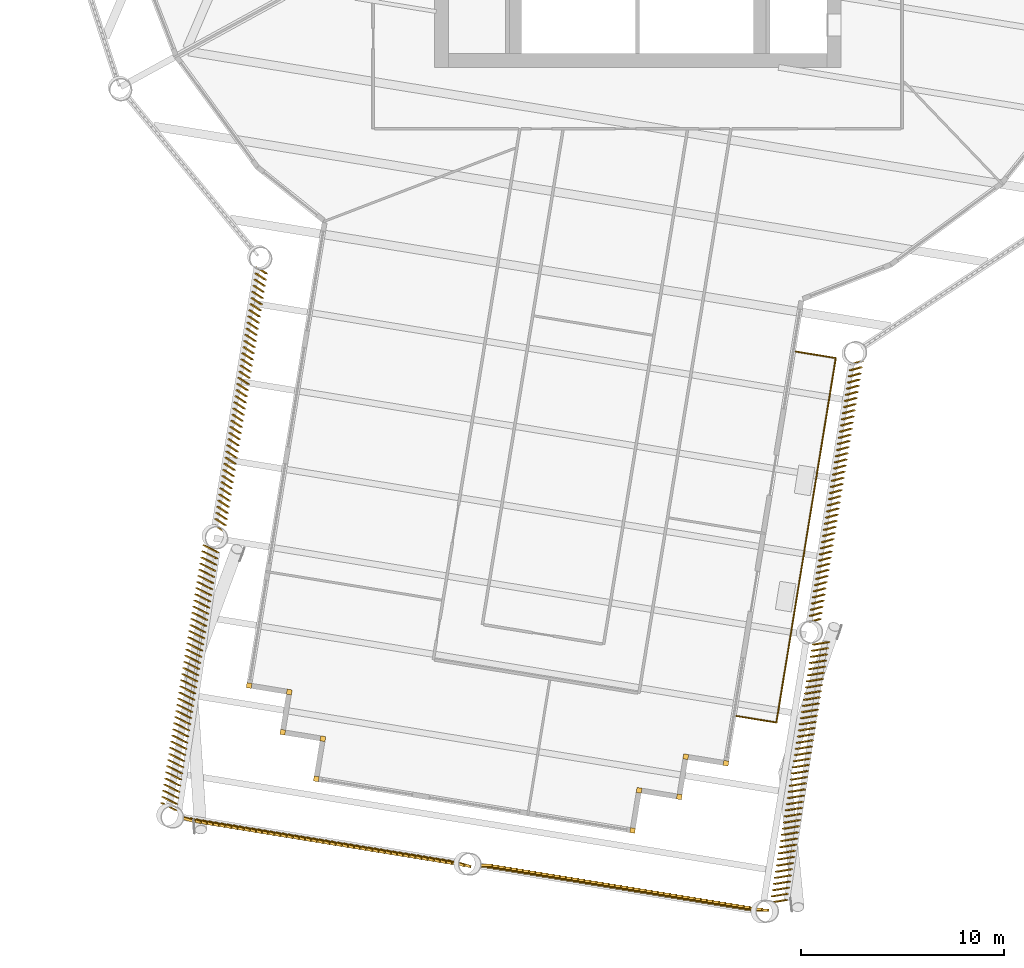
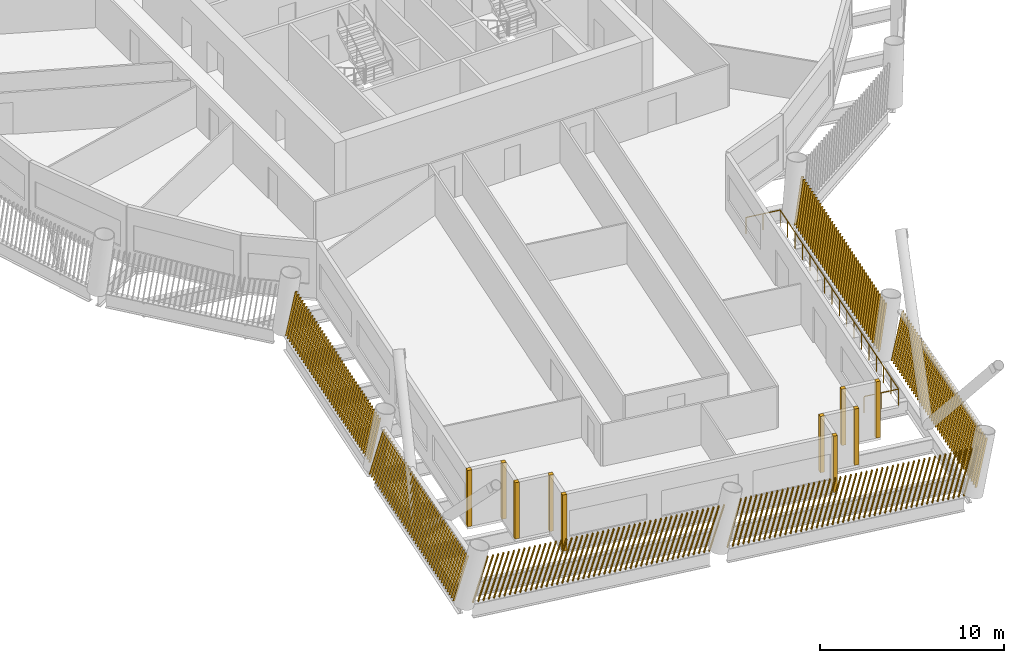
# One storey, part 18 of 22: 16 shading devices, 1 railing.
"""IFC4 building model written with IfcOpenShell, lengths in metres."""

import ifcopenshell
import ifcopenshell.guid

model = None  # the IFC model being written
_history = None  # IfcOwnerHistory: only IFC2X3 demands one
_inside = {}  # id of a spatial element -> (the spatial element, [elements in it])
_under = {}  # id of a project, library or spatial element -> (it, [spatial elements below it])
_declared = {}  # id of a project -> (the project, [libraries it declares])
_typed = {}  # id of a type object -> (the type object, [elements of that type])
_made_of = {}  # id of a material, layer set ... -> (it, [elements and type objects made of it])


def new_model(schema):
    """Start an empty IFC model of exactly this schema.

    Asked for "IFC4X3", IfcOpenShell would pick the latest addendum, in which some entities
    have other attributes; the version numbers below select the first issue.
    IFC2X3 requires an IfcOwnerHistory on every rooted entity: one is made here for all.
    """
    global model, _history
    if schema == "IFC4X3":
        model = ifcopenshell.file(schema_version=(4, 3, 0, 0))
    else:
        model = ifcopenshell.file(schema=schema)
    _inside.clear()
    _under.clear()
    _declared.clear()
    _typed.clear()
    _made_of.clear()
    _history = None
    if model.schema == "IFC2X3":
        org = make("IfcOrganization", Name="unknown")
        user = make(
            "IfcPersonAndOrganization",
            ThePerson=make("IfcPerson", FamilyName="unknown"),
            TheOrganization=org,
        )
        app = make(
            "IfcApplication",
            ApplicationDeveloper=org,
            Version="unknown",
            ApplicationFullName="unknown",
            ApplicationIdentifier="unknown",
        )
        _history = make(
            "IfcOwnerHistory",
            OwningUser=user,
            OwningApplication=app,
            ChangeAction="ADDED",
            CreationDate=0,
        )
    return model


def make(cls, **values):
    """One entity of the class cls with the attributes given. An attribute that is None is left unset."""
    return model.create_entity(
        cls, **{name: value for name, value in values.items() if value is not None}
    )


def rooted(cls, **values):
    """An entity with a GlobalId (a new one), such as an element, a storey or a relation."""
    return make(cls, GlobalId=ifcopenshell.guid.new(), OwnerHistory=_history, **values)


def si_unit(unit_type, name, prefix=None):
    """IfcSIUnit, for example si_unit("LENGTHUNIT", "METRE", prefix="MILLI")."""
    return make("IfcSIUnit", UnitType=unit_type, Prefix=prefix, Name=name)


def assignment(units):
    """IfcUnitAssignment: the units of a project."""
    return None if units is None else make("IfcUnitAssignment", Units=units)


def point(xyz):
    """IfcCartesianPoint."""
    return None if xyz is None else make("IfcCartesianPoint", Coordinates=xyz)


def direction(xyz):
    """IfcDirection."""
    return None if xyz is None else make("IfcDirection", DirectionRatios=xyz)


def frame(location, z_axis=None, x_axis=None):
    """IfcAxis2Placement3D, a coordinate frame: its origin and axes. An axis left out is left unset."""
    return make(
        "IfcAxis2Placement3D",
        Location=point(location),
        Axis=direction(z_axis),
        RefDirection=direction(x_axis),
    )


def frame_2d(location, x_axis=None):
    """IfcAxis2Placement2D, a coordinate frame in the plane: its origin and x axis."""
    return make(
        "IfcAxis2Placement2D", Location=point(location), RefDirection=direction(x_axis)
    )


def origin():
    """The frame at (0, 0, 0) with its axes left unset."""
    return frame((0.0, 0.0, 0.0))


def origin_2d():
    """The frame at (0, 0) in the plane with its x axis left unset."""
    return frame_2d((0.0, 0.0))


def place(relative_to, where):
    """IfcLocalPlacement: puts the frame where relative to a parent placement (None: the world)."""
    return make(
        "IfcLocalPlacement", PlacementRelTo=relative_to, RelativePlacement=where
    )


def context(
    kind, dimensions, precision=None, world=None, true_north=None, identifier=None
):
    """IfcGeometricRepresentationContext, for example the 3D "Model" context."""
    return make(
        "IfcGeometricRepresentationContext",
        ContextIdentifier=identifier,
        ContextType=kind,
        CoordinateSpaceDimension=dimensions,
        Precision=precision,
        WorldCoordinateSystem=world,
        TrueNorth=true_north,
    )


def subcontext(parent, identifier, kind, view, scale=None):
    """IfcGeometricRepresentationSubContext, for example "Body" below "Model"."""
    return make(
        "IfcGeometricRepresentationSubContext",
        ContextIdentifier=identifier,
        ContextType=kind,
        ParentContext=parent,
        TargetScale=scale,
        TargetView=view,
    )


def project(units=None, contexts=None):
    """IfcProject with its units and contexts."""
    return rooted(
        "IfcProject",
        Name="project",
        RepresentationContexts=contexts,
        UnitsInContext=assignment(units),
    )


def spatial(cls, under=None, at=None, **own):
    """A site, building, storey or space (cls), placed at a placement, below another one or the project."""
    s = rooted(cls, ObjectPlacement=at, **own)
    if under is not None:
        _under.setdefault(under.id(), (under, []))[1].append(s)
    return s


def profile(cls, at=None, kind="AREA", **sizes):
    """A parametric profile (cls). Its sizes go by their IFC names, for example OverallWidth=200.0."""
    return make(cls, ProfileType=kind, Position=at, **sizes)


def rectangle(**sizes):
    """IfcRectangleProfileDef."""
    return profile("IfcRectangleProfileDef", **sizes)


def circle(**sizes):
    """IfcCircleProfileDef."""
    return profile("IfcCircleProfileDef", **sizes)


def composite_profile(profiles, kind="AREA"):
    """IfcCompositeProfileDef: several profiles as one."""
    return make("IfcCompositeProfileDef", ProfileType=kind, Profiles=profiles)


def extrude(swept, where, along, depth):
    """IfcExtrudedAreaSolid: the profile swept, set in the frame where, extruded along a direction by depth."""
    return make(
        "IfcExtrudedAreaSolid",
        SweptArea=swept,
        Position=where,
        ExtrudedDirection=direction(along),
        Depth=depth,
    )


def shape(context_of_items, identifier, shape_type, items):
    """IfcShapeRepresentation: the items that make up one representation, for example the "Body"."""
    return make(
        "IfcShapeRepresentation",
        ContextOfItems=context_of_items,
        RepresentationIdentifier=identifier,
        RepresentationType=shape_type,
        Items=items,
    )


def material(Name=None, Category=None):
    """IfcMaterial."""
    return make("IfcMaterial", Name=Name, Category=Category)


def made_of(thing, what):
    """Note that an element or type object is made of a material, layer set ...; save() writes the relation."""
    if what is not None:
        _made_of.setdefault(what.id(), (what, []))[1].append(thing)
    return thing


def type_object(cls, material=None, **own):
    """A type object (cls), such as IfcWallType, which elements share."""
    return made_of(rooted(cls, **own), material)


def element(
    cls,
    number,
    at=None,
    inside=None,
    cuts=None,
    type_object=None,
    material=None,
    context=None,
    identifier="Body",
    shape_type=None,
    held_by="IfcProductDefinitionShape",
    body=None,
    shapes=None,
    **own,
):
    """One element of the class cls, such as IfcWall. Its Tag is "e" and its number.

    at: its placement. inside: the storey or other place that contains it. cuts: it is an
    opening in that element (IfcRelVoidsElement). A single representation is given by context,
    identifier, shape_type and body (its items); several are given by shapes. held_by: the class
    of the entity that holds the representations. save() writes the other relations.
    """
    e = rooted(cls, Tag="e%d" % number, ObjectPlacement=at, **own)
    if body is not None:
        shapes = [shape(context, identifier, shape_type, body)]
    if shapes is not None:
        e.Representation = make(held_by, Representations=shapes)
    if inside is not None:
        _inside.setdefault(inside.id(), (inside, []))[1].append(e)
    if cuts is not None:
        rooted(
            "IfcRelVoidsElement", RelatingBuildingElement=cuts, RelatedOpeningElement=e
        )
    if type_object is not None:
        _typed.setdefault(type_object.id(), (type_object, []))[1].append(e)
    return made_of(e, material)


def aggregate(whole, parts):
    """IfcRelAggregates: a whole, such as a stair, and the parts it consists of."""
    return rooted("IfcRelAggregates", RelatingObject=whole, RelatedObjects=parts)


def save(model, path):
    """Write the relations noted so far, then the file.

    IfcRelAggregates (storeys below a building ...), IfcRelContainedInSpatialStructure (elements
    in a storey), IfcRelDefinesByType, IfcRelAssociatesMaterial and IfcRelDeclares: one each for
    every whole, place, type object, material and project.
    """
    for whole, parts in _under.values():
        aggregate(whole, parts)
    for where, things in _inside.values():
        rooted(
            "IfcRelContainedInSpatialStructure",
            RelatedElements=things,
            RelatingStructure=where,
        )
    for kind, things in _typed.values():
        rooted("IfcRelDefinesByType", RelatedObjects=things, RelatingType=kind)
    for what, things in _made_of.values():
        rooted("IfcRelAssociatesMaterial", RelatedObjects=things, RelatingMaterial=what)
    for by, libraries in _declared.values():
        rooted("IfcRelDeclares", RelatingContext=by, RelatedDefinitions=libraries)
    model.write(path)


model = new_model("IFC4")

# Units and contexts
model_context = context("Model", 3, precision=1e-05, world=origin(), true_north=direction((0.0, 1.0)))
body_context = subcontext(model_context, "Body", "Model", "MODEL_VIEW")
ifc_project = project(units=[si_unit("LENGTHUNIT", "METRE"), si_unit("AREAUNIT", "SQUARE_METRE"), si_unit("VOLUMEUNIT", "CUBIC_METRE"), si_unit("PLANEANGLEUNIT", "RADIAN"), si_unit("MASSUNIT", "GRAM", prefix="KILO")], contexts=[model_context])

# Site, building, storey
site_placement = place(None, origin())
site = spatial("IfcSite", under=ifc_project, at=site_placement, CompositionType="ELEMENT")
building_placement = place(site_placement, origin())
building = spatial("IfcBuilding", under=site, at=building_placement, Name="Tarsis Ring Headquarters", CompositionType="ELEMENT")
storey_placement = place(building_placement, frame((0.0, 0.0, 186.60009765625)))
storey = spatial("IfcBuildingStorey", under=building, at=storey_placement, Name="L43", CompositionType="ELEMENT", Elevation=186.60009765625)

# Railing
ifc_material_1 = material(Name="Stainless steel guard", Category="steel")
railing_type = type_object("IfcRailingType", Name="Balcony balustrade with mesh infill 1100", PredefinedType="BALUSTRADE", material=ifc_material_1)
railing_placement = place(storey_placement, frame((4.84375, -44.864013671875, 0.0)))
element("IfcRailing", 1, at=railing_placement, inside=storey, type_object=railing_type, Name="Balcony balustrade L43-16", PredefinedType="BALUSTRADE", context=body_context, shape_type="SweptSolid", body=[
    extrude(circle(Radius=0.030029296875, at=origin_2d()), frame((0.0, 0.0, 1.070068359375), z_axis=(0.986955450451, -0.160993598707, 0.0), x_axis=(0.160993598707, 0.986955450451, 0.0)), (0.0, 0.0, 1.0), 2.000244140625),
    extrude(circle(Radius=0.030029296875, at=origin_2d()), frame((1.97412109375, -0.322021484375, 1.070068359375), z_axis=(0.160905967795, 0.986969740938, 0.0), x_axis=(-0.986969740938, 0.160905967795, 0.0)), (0.0, 0.0, 1.0), 18.1513671875),
    extrude(circle(Radius=0.030029296875, at=origin_2d()), frame((4.894775390625, 17.5927734375, 1.070068359375), z_axis=(-0.986971678228, 0.160894084342, 0.0), x_axis=(-0.160894084342, -0.986971678228, 0.0)), (0.0, 0.0, 1.0), 2.0),
    extrude(circle(Radius=0.02490234375, at=origin_2d()), origin(), (0.0, 0.0, 1.0), 1.0400390625),
    extrude(circle(Radius=0.02490234375, at=origin_2d()), frame((0.987060546875, -0.1611328125, 0.0)), (0.0, 0.0, 1.0), 1.0400390625),
    extrude(circle(Radius=0.02490234375, at=origin_2d()), frame((1.97412109375, -0.322021484375, 0.0)), (0.0, 0.0, 1.0), 1.0400390625),
    extrude(circle(Radius=0.02490234375, at=origin_2d()), frame((2.15673828125, 0.797607421875, 0.0)), (0.0, 0.0, 1.0), 1.0400390625),
    extrude(circle(Radius=0.02490234375, at=origin_2d()), frame((2.339111328125, 1.917236328125, 0.0)), (0.0, 0.0, 1.0), 1.0400390625),
    extrude(circle(Radius=0.02490234375, at=origin_2d()), frame((2.521728515625, 3.037109375, 0.0)), (0.0, 0.0, 1.0), 1.0400390625),
    extrude(circle(Radius=0.02490234375, at=origin_2d()), frame((2.704345703125, 4.15673828125, 0.0)), (0.0, 0.0, 1.0), 1.0400390625),
    extrude(circle(Radius=0.02490234375, at=origin_2d()), frame((2.88671875, 5.2763671875, 0.0)), (0.0, 0.0, 1.0), 1.0400390625),
    extrude(circle(Radius=0.02490234375, at=origin_2d()), frame((3.0693359375, 6.39599609375, 0.0)), (0.0, 0.0, 1.0), 1.0400390625),
    extrude(circle(Radius=0.02490234375, at=origin_2d()), frame((3.251953125, 7.515625, 0.0)), (0.0, 0.0, 1.0), 1.0400390625),
    extrude(circle(Radius=0.02490234375, at=origin_2d()), frame((3.4345703125, 8.63525390625, 0.0)), (0.0, 0.0, 1.0), 1.0400390625),
    extrude(circle(Radius=0.02490234375, at=origin_2d()), frame((3.616943359375, 9.755126953125, 0.0)), (0.0, 0.0, 1.0), 1.0400390625),
    extrude(circle(Radius=0.02490234375, at=origin_2d()), frame((3.799560546875, 10.874755859375, 0.0)), (0.0, 0.0, 1.0), 1.0400390625),
    extrude(circle(Radius=0.02490234375, at=origin_2d()), frame((3.982177734375, 11.994384765625, 0.0)), (0.0, 0.0, 1.0), 1.0400390625),
    extrude(circle(Radius=0.02490234375, at=origin_2d()), frame((4.16455078125, 13.114013671875, 0.0)), (0.0, 0.0, 1.0), 1.0400390625),
    extrude(circle(Radius=0.02490234375, at=origin_2d()), frame((4.34716796875, 14.233642578125, 0.0)), (0.0, 0.0, 1.0), 1.0400390625),
    extrude(circle(Radius=0.02490234375, at=origin_2d()), frame((4.52978515625, 15.353515625, 0.0)), (0.0, 0.0, 1.0), 1.0400390625),
    extrude(circle(Radius=0.02490234375, at=origin_2d()), frame((4.712158203125, 16.47314453125, 0.0)), (0.0, 0.0, 1.0), 1.0400390625),
    extrude(circle(Radius=0.02490234375, at=origin_2d()), frame((4.894775390625, 17.5927734375, 0.0)), (0.0, 0.0, 1.0), 1.0400390625),
    extrude(circle(Radius=0.02490234375, at=origin_2d()), frame((3.90771484375, 17.753662109375, 0.0)), (0.0, 0.0, 1.0), 1.0400390625),
    extrude(circle(Radius=0.02490234375, at=origin_2d()), frame((2.9208984375, 17.91455078125, 0.0)), (0.0, 0.0, 1.0), 1.0400390625),
])

# Shading devices
ifc_material_2 = material(Name="Terracotta baguette", Category="masonry")
shading_device_type_1 = type_object("IfcShadingDeviceType", Name="Terracotta baguette screen", PredefinedType="USERDEFINED", material=ifc_material_2)
shading_device_1_placement = place(storey_placement, frame((-18.709716796875, -22.78173828125, 0.0), z_axis=(0.0, 0.0, 1.0), x_axis=(-0.160914320315, -0.986962609749, 0.0)))
element("IfcShadingDevice", 2, at=shading_device_1_placement, inside=storey, type_object=shading_device_type_1, Name="Baguette screen L43-01", ObjectType="Terracotta baguette screen", PredefinedType="USERDEFINED", context=body_context, shape_type="SweptSolid", body=[
    extrude(composite_profile([rectangle(XDim=0.06005859375, YDim=0.1201171875, at=frame_2d((0.030029296875, 0.0))), rectangle(XDim=0.06005859375, YDim=0.1201171875, at=frame_2d((0.335693359375, 0.0))), rectangle(XDim=0.06005859375, YDim=0.1201171875, at=frame_2d((0.6416015625, 0.0))), rectangle(XDim=0.06005859375, YDim=0.1201171875, at=frame_2d((0.947265625, 0.0))), rectangle(XDim=0.06005859375, YDim=0.1201171875, at=frame_2d((1.253173828125, 0.0))), rectangle(XDim=0.06005859375, YDim=0.1201171875, at=frame_2d((1.558837890625, 0.0))), rectangle(XDim=0.06005859375, YDim=0.1201171875, at=frame_2d((1.864501953125, 0.0))), rectangle(XDim=0.06005859375, YDim=0.1201171875, at=frame_2d((2.17041015625, 0.0))), rectangle(XDim=0.06005859375, YDim=0.1201171875, at=frame_2d((2.47607421875, 0.0))), rectangle(XDim=0.06005859375, YDim=0.1201171875, at=frame_2d((2.781982421875, 0.0))), rectangle(XDim=0.06005859375, YDim=0.1201171875, at=frame_2d((3.087646484375, 0.0))), rectangle(XDim=0.06005859375, YDim=0.1201171875, at=frame_2d((3.393310546875, 0.0))), rectangle(XDim=0.06005859375, YDim=0.1201171875, at=frame_2d((3.69921875, 0.0))), rectangle(XDim=0.06005859375, YDim=0.1201171875, at=frame_2d((4.0048828125, 0.0))), rectangle(XDim=0.06005859375, YDim=0.1201171875, at=frame_2d((4.310791015625, 0.0))), rectangle(XDim=0.06005859375, YDim=0.1201171875, at=frame_2d((4.616455078125, 0.0))), rectangle(XDim=0.06005859375, YDim=0.1201171875, at=frame_2d((4.922119140625, 0.0))), rectangle(XDim=0.06005859375, YDim=0.1201171875, at=frame_2d((5.22802734375, 0.0))), rectangle(XDim=0.06005859375, YDim=0.1201171875, at=frame_2d((5.53369140625, 0.0))), rectangle(XDim=0.06005859375, YDim=0.1201171875, at=frame_2d((5.839599609375, 0.0))), rectangle(XDim=0.06005859375, YDim=0.1201171875, at=frame_2d((6.145263671875, 0.0))), rectangle(XDim=0.06005859375, YDim=0.1201171875, at=frame_2d((6.451171875, 0.0))), rectangle(XDim=0.06005859375, YDim=0.1201171875, at=frame_2d((6.7568359375, 0.0))), rectangle(XDim=0.06005859375, YDim=0.1201171875, at=frame_2d((7.0625, 0.0))), rectangle(XDim=0.06005859375, YDim=0.1201171875, at=frame_2d((7.368408203125, 0.0))), rectangle(XDim=0.06005859375, YDim=0.1201171875, at=frame_2d((7.674072265625, 0.0))), rectangle(XDim=0.06005859375, YDim=0.1201171875, at=frame_2d((7.97998046875, 0.0))), rectangle(XDim=0.06005859375, YDim=0.1201171875, at=frame_2d((8.28564453125, 0.0))), rectangle(XDim=0.06005859375, YDim=0.1201171875, at=frame_2d((8.59130859375, 0.0))), rectangle(XDim=0.06005859375, YDim=0.1201171875, at=frame_2d((8.897216796875, 0.0))), rectangle(XDim=0.06005859375, YDim=0.1201171875, at=frame_2d((9.202880859375, 0.0))), rectangle(XDim=0.06005859375, YDim=0.1201171875, at=frame_2d((9.5087890625, 0.0))), rectangle(XDim=0.06005859375, YDim=0.1201171875, at=frame_2d((9.814453125, 0.0))), rectangle(XDim=0.06005859375, YDim=0.1201171875, at=frame_2d((10.1201171875, 0.0))), rectangle(XDim=0.06005859375, YDim=0.1201171875, at=frame_2d((10.426025390625, 0.0))), rectangle(XDim=0.06005859375, YDim=0.1201171875, at=frame_2d((10.731689453125, 0.0))), rectangle(XDim=0.06005859375, YDim=0.1201171875, at=frame_2d((11.03759765625, 0.0))), rectangle(XDim=0.06005859375, YDim=0.1201171875, at=frame_2d((11.34326171875, 0.0))), rectangle(XDim=0.06005859375, YDim=0.1201171875, at=frame_2d((11.64892578125, 0.0))), rectangle(XDim=0.06005859375, YDim=0.1201171875, at=frame_2d((11.954833984375, 0.0))), rectangle(XDim=0.06005859375, YDim=0.1201171875, at=frame_2d((12.260498046875, 0.0))), rectangle(XDim=0.06005859375, YDim=0.1201171875, at=frame_2d((12.56640625, 0.0))), rectangle(XDim=0.06005859375, YDim=0.1201171875, at=frame_2d((12.8720703125, 0.0)))]), origin(), (0.076140967909, 0.167798012639, 0.982876584298), 3.00146484375),
])
shading_device_2_placement = place(storey_placement, frame((-21.31689453125, -36.4423828125, 0.0), z_axis=(0.0, 0.0, 1.0), x_axis=(-0.160914320315, -0.986962609749, 0.0)))
element("IfcShadingDevice", 3, at=shading_device_2_placement, inside=storey, type_object=shading_device_type_1, Name="Baguette screen L43-02", ObjectType="Terracotta baguette screen", PredefinedType="USERDEFINED", context=body_context, shape_type="SweptSolid", body=[
    extrude(composite_profile([rectangle(XDim=0.06005859375, YDim=0.1201171875, at=frame_2d((0.030029296875, 0.0))), rectangle(XDim=0.06005859375, YDim=0.1201171875, at=frame_2d((0.335693359375, 0.0))), rectangle(XDim=0.06005859375, YDim=0.1201171875, at=frame_2d((0.6416015625, 0.0))), rectangle(XDim=0.06005859375, YDim=0.1201171875, at=frame_2d((0.947265625, 0.0))), rectangle(XDim=0.06005859375, YDim=0.1201171875, at=frame_2d((1.253173828125, 0.0))), rectangle(XDim=0.06005859375, YDim=0.1201171875, at=frame_2d((1.558837890625, 0.0))), rectangle(XDim=0.06005859375, YDim=0.1201171875, at=frame_2d((1.864501953125, 0.0))), rectangle(XDim=0.06005859375, YDim=0.1201171875, at=frame_2d((2.17041015625, 0.0))), rectangle(XDim=0.06005859375, YDim=0.1201171875, at=frame_2d((2.47607421875, 0.0))), rectangle(XDim=0.06005859375, YDim=0.1201171875, at=frame_2d((2.781982421875, 0.0))), rectangle(XDim=0.06005859375, YDim=0.1201171875, at=frame_2d((3.087646484375, 0.0))), rectangle(XDim=0.06005859375, YDim=0.1201171875, at=frame_2d((3.393310546875, 0.0))), rectangle(XDim=0.06005859375, YDim=0.1201171875, at=frame_2d((3.69921875, 0.0))), rectangle(XDim=0.06005859375, YDim=0.1201171875, at=frame_2d((4.0048828125, 0.0))), rectangle(XDim=0.06005859375, YDim=0.1201171875, at=frame_2d((4.310791015625, 0.0))), rectangle(XDim=0.06005859375, YDim=0.1201171875, at=frame_2d((4.616455078125, 0.0))), rectangle(XDim=0.06005859375, YDim=0.1201171875, at=frame_2d((4.922119140625, 0.0))), rectangle(XDim=0.06005859375, YDim=0.1201171875, at=frame_2d((5.22802734375, 0.0))), rectangle(XDim=0.06005859375, YDim=0.1201171875, at=frame_2d((5.53369140625, 0.0))), rectangle(XDim=0.06005859375, YDim=0.1201171875, at=frame_2d((5.839599609375, 0.0))), rectangle(XDim=0.06005859375, YDim=0.1201171875, at=frame_2d((6.145263671875, 0.0))), rectangle(XDim=0.06005859375, YDim=0.1201171875, at=frame_2d((6.451171875, 0.0))), rectangle(XDim=0.06005859375, YDim=0.1201171875, at=frame_2d((6.7568359375, 0.0))), rectangle(XDim=0.06005859375, YDim=0.1201171875, at=frame_2d((7.0625, 0.0))), rectangle(XDim=0.06005859375, YDim=0.1201171875, at=frame_2d((7.368408203125, 0.0))), rectangle(XDim=0.06005859375, YDim=0.1201171875, at=frame_2d((7.674072265625, 0.0))), rectangle(XDim=0.06005859375, YDim=0.1201171875, at=frame_2d((7.97998046875, 0.0))), rectangle(XDim=0.06005859375, YDim=0.1201171875, at=frame_2d((8.28564453125, 0.0))), rectangle(XDim=0.06005859375, YDim=0.1201171875, at=frame_2d((8.59130859375, 0.0))), rectangle(XDim=0.06005859375, YDim=0.1201171875, at=frame_2d((8.897216796875, 0.0))), rectangle(XDim=0.06005859375, YDim=0.1201171875, at=frame_2d((9.202880859375, 0.0))), rectangle(XDim=0.06005859375, YDim=0.1201171875, at=frame_2d((9.5087890625, 0.0))), rectangle(XDim=0.06005859375, YDim=0.1201171875, at=frame_2d((9.814453125, 0.0))), rectangle(XDim=0.06005859375, YDim=0.1201171875, at=frame_2d((10.1201171875, 0.0))), rectangle(XDim=0.06005859375, YDim=0.1201171875, at=frame_2d((10.426025390625, 0.0))), rectangle(XDim=0.06005859375, YDim=0.1201171875, at=frame_2d((10.731689453125, 0.0))), rectangle(XDim=0.06005859375, YDim=0.1201171875, at=frame_2d((11.03759765625, 0.0))), rectangle(XDim=0.06005859375, YDim=0.1201171875, at=frame_2d((11.34326171875, 0.0))), rectangle(XDim=0.06005859375, YDim=0.1201171875, at=frame_2d((11.64892578125, 0.0))), rectangle(XDim=0.06005859375, YDim=0.1201171875, at=frame_2d((11.954833984375, 0.0))), rectangle(XDim=0.06005859375, YDim=0.1201171875, at=frame_2d((12.260498046875, 0.0))), rectangle(XDim=0.06005859375, YDim=0.1201171875, at=frame_2d((12.56640625, 0.0))), rectangle(XDim=0.06005859375, YDim=0.1201171875, at=frame_2d((12.8720703125, 0.0)))]), origin(), (0.076396913549, 0.237047926428, 0.96848943834), 3.0458984375),
])
shading_device_3_placement = place(storey_placement, frame((-22.60986328125, -49.810791015625, 0.0), z_axis=(0.0, 0.0, 1.0), x_axis=(0.986961521451, -0.160919946926, 0.0)))
element("IfcShadingDevice", 4, at=shading_device_3_placement, inside=storey, type_object=shading_device_type_1, Name="Baguette screen L43-03", ObjectType="Terracotta baguette screen", PredefinedType="USERDEFINED", context=body_context, shape_type="SweptSolid", body=[
    extrude(composite_profile([rectangle(XDim=0.06005859375, YDim=0.1201171875, at=frame_2d((0.030029296875, 0.0))), rectangle(XDim=0.06005859375, YDim=0.1201171875, at=frame_2d((0.33544921875, 0.0))), rectangle(XDim=0.06005859375, YDim=0.1201171875, at=frame_2d((0.640625, 0.0))), rectangle(XDim=0.06005859375, YDim=0.1201171875, at=frame_2d((0.946044921875, 0.0))), rectangle(XDim=0.06005859375, YDim=0.1201171875, at=frame_2d((1.25146484375, 0.0))), rectangle(XDim=0.06005859375, YDim=0.1201171875, at=frame_2d((1.556640625, 0.0))), rectangle(XDim=0.06005859375, YDim=0.1201171875, at=frame_2d((1.862060546875, 0.0))), rectangle(XDim=0.06005859375, YDim=0.1201171875, at=frame_2d((2.16748046875, 0.0))), rectangle(XDim=0.06005859375, YDim=0.1201171875, at=frame_2d((2.47265625, 0.0))), rectangle(XDim=0.06005859375, YDim=0.1201171875, at=frame_2d((2.778076171875, 0.0))), rectangle(XDim=0.06005859375, YDim=0.1201171875, at=frame_2d((3.08349609375, 0.0))), rectangle(XDim=0.06005859375, YDim=0.1201171875, at=frame_2d((3.388671875, 0.0))), rectangle(XDim=0.06005859375, YDim=0.1201171875, at=frame_2d((3.694091796875, 0.0))), rectangle(XDim=0.06005859375, YDim=0.1201171875, at=frame_2d((3.99951171875, 0.0))), rectangle(XDim=0.06005859375, YDim=0.1201171875, at=frame_2d((4.3046875, 0.0))), rectangle(XDim=0.06005859375, YDim=0.1201171875, at=frame_2d((4.610107421875, 0.0))), rectangle(XDim=0.06005859375, YDim=0.1201171875, at=frame_2d((4.91552734375, 0.0))), rectangle(XDim=0.06005859375, YDim=0.1201171875, at=frame_2d((5.220703125, 0.0))), rectangle(XDim=0.06005859375, YDim=0.1201171875, at=frame_2d((5.526123046875, 0.0))), rectangle(XDim=0.06005859375, YDim=0.1201171875, at=frame_2d((5.83154296875, 0.0))), rectangle(XDim=0.06005859375, YDim=0.1201171875, at=frame_2d((6.13671875, 0.0))), rectangle(XDim=0.06005859375, YDim=0.1201171875, at=frame_2d((6.442138671875, 0.0))), rectangle(XDim=0.06005859375, YDim=0.1201171875, at=frame_2d((6.74755859375, 0.0))), rectangle(XDim=0.06005859375, YDim=0.1201171875, at=frame_2d((7.052734375, 0.0))), rectangle(XDim=0.06005859375, YDim=0.1201171875, at=frame_2d((7.358154296875, 0.0))), rectangle(XDim=0.06005859375, YDim=0.1201171875, at=frame_2d((7.66357421875, 0.0))), rectangle(XDim=0.06005859375, YDim=0.1201171875, at=frame_2d((7.96875, 0.0))), rectangle(XDim=0.06005859375, YDim=0.1201171875, at=frame_2d((8.274169921875, 0.0))), rectangle(XDim=0.06005859375, YDim=0.1201171875, at=frame_2d((8.57958984375, 0.0))), rectangle(XDim=0.06005859375, YDim=0.1201171875, at=frame_2d((8.884765625, 0.0))), rectangle(XDim=0.06005859375, YDim=0.1201171875, at=frame_2d((9.190185546875, 0.0))), rectangle(XDim=0.06005859375, YDim=0.1201171875, at=frame_2d((9.49560546875, 0.0))), rectangle(XDim=0.06005859375, YDim=0.1201171875, at=frame_2d((9.80078125, 0.0))), rectangle(XDim=0.06005859375, YDim=0.1201171875, at=frame_2d((10.106201171875, 0.0))), rectangle(XDim=0.06005859375, YDim=0.1201171875, at=frame_2d((10.41162109375, 0.0))), rectangle(XDim=0.06005859375, YDim=0.1201171875, at=frame_2d((10.716796875, 0.0))), rectangle(XDim=0.06005859375, YDim=0.1201171875, at=frame_2d((11.022216796875, 0.0))), rectangle(XDim=0.06005859375, YDim=0.1201171875, at=frame_2d((11.32763671875, 0.0))), rectangle(XDim=0.06005859375, YDim=0.1201171875, at=frame_2d((11.6328125, 0.0))), rectangle(XDim=0.06005859375, YDim=0.1201171875, at=frame_2d((11.938232421875, 0.0))), rectangle(XDim=0.06005859375, YDim=0.1201171875, at=frame_2d((12.24365234375, 0.0))), rectangle(XDim=0.06005859375, YDim=0.1201171875, at=frame_2d((12.548828125, 0.0))), rectangle(XDim=0.06005859375, YDim=0.1201171875, at=frame_2d((12.854248046875, 0.0))), rectangle(XDim=0.06005859375, YDim=0.1201171875, at=frame_2d((13.15966796875, 0.0))), rectangle(XDim=0.06005859375, YDim=0.1201171875, at=frame_2d((13.46484375, 0.0))), rectangle(XDim=0.06005859375, YDim=0.1201171875, at=frame_2d((13.770263671875, 0.0)))]), origin(), (0.270748235722, -0.035778251371, 0.961985088025), 3.06640625),
])
shading_device_4_placement = place(storey_placement, frame((-8.0029296875, -52.1923828125, 0.0), z_axis=(0.0, 0.0, 1.0), x_axis=(0.986961752114, -0.160917100096, 0.0)))
element("IfcShadingDevice", 5, at=shading_device_4_placement, inside=storey, type_object=shading_device_type_1, Name="Baguette screen L43-04", ObjectType="Terracotta baguette screen", PredefinedType="USERDEFINED", context=body_context, shape_type="SweptSolid", body=[
    extrude(composite_profile([rectangle(XDim=0.06005859375, YDim=0.1201171875, at=frame_2d((0.030029296875, 0.0))), rectangle(XDim=0.06005859375, YDim=0.1201171875, at=frame_2d((0.33544921875, 0.0))), rectangle(XDim=0.06005859375, YDim=0.1201171875, at=frame_2d((0.640625, 0.0))), rectangle(XDim=0.06005859375, YDim=0.1201171875, at=frame_2d((0.946044921875, 0.0))), rectangle(XDim=0.06005859375, YDim=0.1201171875, at=frame_2d((1.25146484375, 0.0))), rectangle(XDim=0.06005859375, YDim=0.1201171875, at=frame_2d((1.556640625, 0.0))), rectangle(XDim=0.06005859375, YDim=0.1201171875, at=frame_2d((1.862060546875, 0.0))), rectangle(XDim=0.06005859375, YDim=0.1201171875, at=frame_2d((2.16748046875, 0.0))), rectangle(XDim=0.06005859375, YDim=0.1201171875, at=frame_2d((2.47265625, 0.0))), rectangle(XDim=0.06005859375, YDim=0.1201171875, at=frame_2d((2.778076171875, 0.0))), rectangle(XDim=0.06005859375, YDim=0.1201171875, at=frame_2d((3.08349609375, 0.0))), rectangle(XDim=0.06005859375, YDim=0.1201171875, at=frame_2d((3.388671875, 0.0))), rectangle(XDim=0.06005859375, YDim=0.1201171875, at=frame_2d((3.694091796875, 0.0))), rectangle(XDim=0.06005859375, YDim=0.1201171875, at=frame_2d((3.99951171875, 0.0))), rectangle(XDim=0.06005859375, YDim=0.1201171875, at=frame_2d((4.3046875, 0.0))), rectangle(XDim=0.06005859375, YDim=0.1201171875, at=frame_2d((4.610107421875, 0.0))), rectangle(XDim=0.06005859375, YDim=0.1201171875, at=frame_2d((4.91552734375, 0.0))), rectangle(XDim=0.06005859375, YDim=0.1201171875, at=frame_2d((5.220703125, 0.0))), rectangle(XDim=0.06005859375, YDim=0.1201171875, at=frame_2d((5.526123046875, 0.0))), rectangle(XDim=0.06005859375, YDim=0.1201171875, at=frame_2d((5.83154296875, 0.0))), rectangle(XDim=0.06005859375, YDim=0.1201171875, at=frame_2d((6.13671875, 0.0))), rectangle(XDim=0.06005859375, YDim=0.1201171875, at=frame_2d((6.442138671875, 0.0))), rectangle(XDim=0.06005859375, YDim=0.1201171875, at=frame_2d((6.74755859375, 0.0))), rectangle(XDim=0.06005859375, YDim=0.1201171875, at=frame_2d((7.052734375, 0.0))), rectangle(XDim=0.06005859375, YDim=0.1201171875, at=frame_2d((7.358154296875, 0.0))), rectangle(XDim=0.06005859375, YDim=0.1201171875, at=frame_2d((7.66357421875, 0.0))), rectangle(XDim=0.06005859375, YDim=0.1201171875, at=frame_2d((7.96875, 0.0))), rectangle(XDim=0.06005859375, YDim=0.1201171875, at=frame_2d((8.274169921875, 0.0))), rectangle(XDim=0.06005859375, YDim=0.1201171875, at=frame_2d((8.57958984375, 0.0))), rectangle(XDim=0.06005859375, YDim=0.1201171875, at=frame_2d((8.884765625, 0.0))), rectangle(XDim=0.06005859375, YDim=0.1201171875, at=frame_2d((9.190185546875, 0.0))), rectangle(XDim=0.06005859375, YDim=0.1201171875, at=frame_2d((9.49560546875, 0.0))), rectangle(XDim=0.06005859375, YDim=0.1201171875, at=frame_2d((9.80078125, 0.0))), rectangle(XDim=0.06005859375, YDim=0.1201171875, at=frame_2d((10.106201171875, 0.0))), rectangle(XDim=0.06005859375, YDim=0.1201171875, at=frame_2d((10.41162109375, 0.0))), rectangle(XDim=0.06005859375, YDim=0.1201171875, at=frame_2d((10.716796875, 0.0))), rectangle(XDim=0.06005859375, YDim=0.1201171875, at=frame_2d((11.022216796875, 0.0))), rectangle(XDim=0.06005859375, YDim=0.1201171875, at=frame_2d((11.32763671875, 0.0))), rectangle(XDim=0.06005859375, YDim=0.1201171875, at=frame_2d((11.6328125, 0.0))), rectangle(XDim=0.06005859375, YDim=0.1201171875, at=frame_2d((11.938232421875, 0.0))), rectangle(XDim=0.06005859375, YDim=0.1201171875, at=frame_2d((12.24365234375, 0.0))), rectangle(XDim=0.06005859375, YDim=0.1201171875, at=frame_2d((12.548828125, 0.0))), rectangle(XDim=0.06005859375, YDim=0.1201171875, at=frame_2d((12.854248046875, 0.0))), rectangle(XDim=0.06005859375, YDim=0.1201171875, at=frame_2d((13.15966796875, 0.0))), rectangle(XDim=0.06005859375, YDim=0.1201171875, at=frame_2d((13.46484375, 0.0))), rectangle(XDim=0.06005859375, YDim=0.1201171875, at=frame_2d((13.770263671875, 0.0)))]), origin(), (0.270152291641, 0.040028674393, 0.961985158174), 3.06640625),
])
shading_device_5_placement = place(storey_placement, frame((6.561279296875, -54.060302734375, 0.0), z_axis=(0.0, 0.0, 1.0), x_axis=(0.160914320315, 0.986962609749, 0.0)))
element("IfcShadingDevice", 6, at=shading_device_5_placement, inside=storey, type_object=shading_device_type_1, Name="Baguette screen L43-05", ObjectType="Terracotta baguette screen", PredefinedType="USERDEFINED", context=body_context, shape_type="SweptSolid", body=[
    extrude(composite_profile([rectangle(XDim=0.06005859375, YDim=0.1201171875, at=frame_2d((0.030029296875, 0.0))), rectangle(XDim=0.06005859375, YDim=0.1201171875, at=frame_2d((0.335693359375, 0.0))), rectangle(XDim=0.06005859375, YDim=0.1201171875, at=frame_2d((0.6416015625, 0.0))), rectangle(XDim=0.06005859375, YDim=0.1201171875, at=frame_2d((0.947265625, 0.0))), rectangle(XDim=0.06005859375, YDim=0.1201171875, at=frame_2d((1.253173828125, 0.0))), rectangle(XDim=0.06005859375, YDim=0.1201171875, at=frame_2d((1.558837890625, 0.0))), rectangle(XDim=0.06005859375, YDim=0.1201171875, at=frame_2d((1.864501953125, 0.0))), rectangle(XDim=0.06005859375, YDim=0.1201171875, at=frame_2d((2.17041015625, 0.0))), rectangle(XDim=0.06005859375, YDim=0.1201171875, at=frame_2d((2.47607421875, 0.0))), rectangle(XDim=0.06005859375, YDim=0.1201171875, at=frame_2d((2.781982421875, 0.0))), rectangle(XDim=0.06005859375, YDim=0.1201171875, at=frame_2d((3.087646484375, 0.0))), rectangle(XDim=0.06005859375, YDim=0.1201171875, at=frame_2d((3.393310546875, 0.0))), rectangle(XDim=0.06005859375, YDim=0.1201171875, at=frame_2d((3.69921875, 0.0))), rectangle(XDim=0.06005859375, YDim=0.1201171875, at=frame_2d((4.0048828125, 0.0))), rectangle(XDim=0.06005859375, YDim=0.1201171875, at=frame_2d((4.310791015625, 0.0))), rectangle(XDim=0.06005859375, YDim=0.1201171875, at=frame_2d((4.616455078125, 0.0))), rectangle(XDim=0.06005859375, YDim=0.1201171875, at=frame_2d((4.922119140625, 0.0))), rectangle(XDim=0.06005859375, YDim=0.1201171875, at=frame_2d((5.22802734375, 0.0))), rectangle(XDim=0.06005859375, YDim=0.1201171875, at=frame_2d((5.53369140625, 0.0))), rectangle(XDim=0.06005859375, YDim=0.1201171875, at=frame_2d((5.839599609375, 0.0))), rectangle(XDim=0.06005859375, YDim=0.1201171875, at=frame_2d((6.145263671875, 0.0))), rectangle(XDim=0.06005859375, YDim=0.1201171875, at=frame_2d((6.451171875, 0.0))), rectangle(XDim=0.06005859375, YDim=0.1201171875, at=frame_2d((6.7568359375, 0.0))), rectangle(XDim=0.06005859375, YDim=0.1201171875, at=frame_2d((7.0625, 0.0))), rectangle(XDim=0.06005859375, YDim=0.1201171875, at=frame_2d((7.368408203125, 0.0))), rectangle(XDim=0.06005859375, YDim=0.1201171875, at=frame_2d((7.674072265625, 0.0))), rectangle(XDim=0.06005859375, YDim=0.1201171875, at=frame_2d((7.97998046875, 0.0))), rectangle(XDim=0.06005859375, YDim=0.1201171875, at=frame_2d((8.28564453125, 0.0))), rectangle(XDim=0.06005859375, YDim=0.1201171875, at=frame_2d((8.59130859375, 0.0))), rectangle(XDim=0.06005859375, YDim=0.1201171875, at=frame_2d((8.897216796875, 0.0))), rectangle(XDim=0.06005859375, YDim=0.1201171875, at=frame_2d((9.202880859375, 0.0))), rectangle(XDim=0.06005859375, YDim=0.1201171875, at=frame_2d((9.5087890625, 0.0))), rectangle(XDim=0.06005859375, YDim=0.1201171875, at=frame_2d((9.814453125, 0.0))), rectangle(XDim=0.06005859375, YDim=0.1201171875, at=frame_2d((10.1201171875, 0.0))), rectangle(XDim=0.06005859375, YDim=0.1201171875, at=frame_2d((10.426025390625, 0.0))), rectangle(XDim=0.06005859375, YDim=0.1201171875, at=frame_2d((10.731689453125, 0.0))), rectangle(XDim=0.06005859375, YDim=0.1201171875, at=frame_2d((11.03759765625, 0.0))), rectangle(XDim=0.06005859375, YDim=0.1201171875, at=frame_2d((11.34326171875, 0.0))), rectangle(XDim=0.06005859375, YDim=0.1201171875, at=frame_2d((11.64892578125, 0.0))), rectangle(XDim=0.06005859375, YDim=0.1201171875, at=frame_2d((11.954833984375, 0.0))), rectangle(XDim=0.06005859375, YDim=0.1201171875, at=frame_2d((12.260498046875, 0.0))), rectangle(XDim=0.06005859375, YDim=0.1201171875, at=frame_2d((12.56640625, 0.0))), rectangle(XDim=0.06005859375, YDim=0.1201171875, at=frame_2d((12.8720703125, 0.0)))]), origin(), (0.080111326675, -0.235818539409, 0.968489438151), 3.0458984375),
])
shading_device_6_placement = place(storey_placement, frame((8.428466796875, -40.27880859375, 0.0), z_axis=(0.0, 0.0, 1.0), x_axis=(0.160917365224, 0.986962363048, 0.0)))
element("IfcShadingDevice", 7, at=shading_device_6_placement, inside=storey, type_object=shading_device_type_1, Name="Baguette screen L43-06", ObjectType="Terracotta baguette screen", PredefinedType="USERDEFINED", context=body_context, shape_type="SweptSolid", body=[
    extrude(composite_profile([rectangle(XDim=0.06005859375, YDim=0.1201171875, at=frame_2d((0.030029296875, 0.0))), rectangle(XDim=0.06005859375, YDim=0.1201171875, at=frame_2d((0.335693359375, 0.0))), rectangle(XDim=0.06005859375, YDim=0.1201171875, at=frame_2d((0.6416015625, 0.0))), rectangle(XDim=0.06005859375, YDim=0.1201171875, at=frame_2d((0.947265625, 0.0))), rectangle(XDim=0.06005859375, YDim=0.1201171875, at=frame_2d((1.253173828125, 0.0))), rectangle(XDim=0.06005859375, YDim=0.1201171875, at=frame_2d((1.558837890625, 0.0))), rectangle(XDim=0.06005859375, YDim=0.1201171875, at=frame_2d((1.864501953125, 0.0))), rectangle(XDim=0.06005859375, YDim=0.1201171875, at=frame_2d((2.17041015625, 0.0))), rectangle(XDim=0.06005859375, YDim=0.1201171875, at=frame_2d((2.47607421875, 0.0))), rectangle(XDim=0.06005859375, YDim=0.1201171875, at=frame_2d((2.781982421875, 0.0))), rectangle(XDim=0.06005859375, YDim=0.1201171875, at=frame_2d((3.087646484375, 0.0))), rectangle(XDim=0.06005859375, YDim=0.1201171875, at=frame_2d((3.393310546875, 0.0))), rectangle(XDim=0.06005859375, YDim=0.1201171875, at=frame_2d((3.69921875, 0.0))), rectangle(XDim=0.06005859375, YDim=0.1201171875, at=frame_2d((4.0048828125, 0.0))), rectangle(XDim=0.06005859375, YDim=0.1201171875, at=frame_2d((4.310791015625, 0.0))), rectangle(XDim=0.06005859375, YDim=0.1201171875, at=frame_2d((4.616455078125, 0.0))), rectangle(XDim=0.06005859375, YDim=0.1201171875, at=frame_2d((4.922119140625, 0.0))), rectangle(XDim=0.06005859375, YDim=0.1201171875, at=frame_2d((5.22802734375, 0.0))), rectangle(XDim=0.06005859375, YDim=0.1201171875, at=frame_2d((5.53369140625, 0.0))), rectangle(XDim=0.06005859375, YDim=0.1201171875, at=frame_2d((5.839599609375, 0.0))), rectangle(XDim=0.06005859375, YDim=0.1201171875, at=frame_2d((6.145263671875, 0.0))), rectangle(XDim=0.06005859375, YDim=0.1201171875, at=frame_2d((6.451171875, 0.0))), rectangle(XDim=0.06005859375, YDim=0.1201171875, at=frame_2d((6.7568359375, 0.0))), rectangle(XDim=0.06005859375, YDim=0.1201171875, at=frame_2d((7.0625, 0.0))), rectangle(XDim=0.06005859375, YDim=0.1201171875, at=frame_2d((7.368408203125, 0.0))), rectangle(XDim=0.06005859375, YDim=0.1201171875, at=frame_2d((7.674072265625, 0.0))), rectangle(XDim=0.06005859375, YDim=0.1201171875, at=frame_2d((7.97998046875, 0.0))), rectangle(XDim=0.06005859375, YDim=0.1201171875, at=frame_2d((8.28564453125, 0.0))), rectangle(XDim=0.06005859375, YDim=0.1201171875, at=frame_2d((8.59130859375, 0.0))), rectangle(XDim=0.06005859375, YDim=0.1201171875, at=frame_2d((8.897216796875, 0.0))), rectangle(XDim=0.06005859375, YDim=0.1201171875, at=frame_2d((9.202880859375, 0.0))), rectangle(XDim=0.06005859375, YDim=0.1201171875, at=frame_2d((9.5087890625, 0.0))), rectangle(XDim=0.06005859375, YDim=0.1201171875, at=frame_2d((9.814453125, 0.0))), rectangle(XDim=0.06005859375, YDim=0.1201171875, at=frame_2d((10.1201171875, 0.0))), rectangle(XDim=0.06005859375, YDim=0.1201171875, at=frame_2d((10.426025390625, 0.0))), rectangle(XDim=0.06005859375, YDim=0.1201171875, at=frame_2d((10.731689453125, 0.0))), rectangle(XDim=0.06005859375, YDim=0.1201171875, at=frame_2d((11.03759765625, 0.0))), rectangle(XDim=0.06005859375, YDim=0.1201171875, at=frame_2d((11.34326171875, 0.0))), rectangle(XDim=0.06005859375, YDim=0.1201171875, at=frame_2d((11.64892578125, 0.0))), rectangle(XDim=0.06005859375, YDim=0.1201171875, at=frame_2d((11.954833984375, 0.0))), rectangle(XDim=0.06005859375, YDim=0.1201171875, at=frame_2d((12.260498046875, 0.0))), rectangle(XDim=0.06005859375, YDim=0.1201171875, at=frame_2d((12.56640625, 0.0))), rectangle(XDim=0.06005859375, YDim=0.1201171875, at=frame_2d((12.8720703125, 0.0)))]), origin(), (0.078767968591, -0.166580736406, 0.982876627753), 3.00146484375),
])
shading_device_type_2 = type_object("IfcShadingDeviceType", Name="Terracotta corner baguette 250x250", PredefinedType="USERDEFINED", material=ifc_material_2)
for number, where, z_axis, x_axis, name in (
    (8, (-19.102294921875, -43.3662109375, 0.0), (0.0, 0.0, 1.0), (-0.160914843744, -0.986968293849, 0.0), "Corner baguette L43-07"),
    (9, (-17.128173828125, -43.688232421875, 0.0), (0.0, 0.0, 1.0), (0.986968352827, -0.160914482001, 0.0), "Corner baguette L43-08"),
    (10, (-17.4501953125, -45.662109375, 0.0), (0.0, 0.0, 1.0), (-0.160915050454, -0.986968260147, 0.0), "Corner baguette L43-09"),
    (11, (-15.47607421875, -45.98388671875, 0.0), (0.0, 0.0, 1.0), (0.986968274189, -0.160914964324, 0.0), "Corner baguette L43-10"),
    (12, (-15.798095703125, -47.957763671875, 0.0), (0.0, 0.0, 1.0), (-0.160914964324, -0.986968274189, 0.0), "Corner baguette L43-11"),
    (13, (-0.253173828125, -50.4921875, 0.0), (0.0, 0.0, 1.0), (0.986968299466, -0.160914809292, 0.0), "Corner baguette L43-12"),
    (14, (0.068603515625, -48.518310546875, 0.0), (0.0, 0.0, 1.0), (0.160915050454, 0.986968260147, 0.0), "Corner baguette L43-13"),
    (15, (2.04248046875, -48.840087890625, 0.0), (0.0, 0.0, 1.0), (0.986968352827, -0.160914482001, 0.0), "Corner baguette L43-14"),
    (16, (2.3642578125, -46.8662109375, 0.0), (0.0, 0.0, 1.0), (0.160914482001, 0.986968352827, 0.0), "Corner baguette L43-15"),
    (17, (4.33837890625, -47.18798828125, 0.0), (0.0, 0.0, 1.0), (0.986968260147, -0.160915050454, 0.0), "Corner baguette L43-16"),
):
    element("IfcShadingDevice", number, at=place(storey_placement, frame(where, z_axis=z_axis, x_axis=x_axis)), inside=storey, type_object=shading_device_type_2, Name=name, ObjectType="Terracotta corner baguette", PredefinedType="USERDEFINED", context=body_context, shape_type="SweptSolid", body=[
        extrude(rectangle(XDim=0.25, YDim=0.25, at=origin_2d()), origin(), (0.0, 0.0, 1.0), 3.739990234375),
    ])

save(model, "model.ifc")
